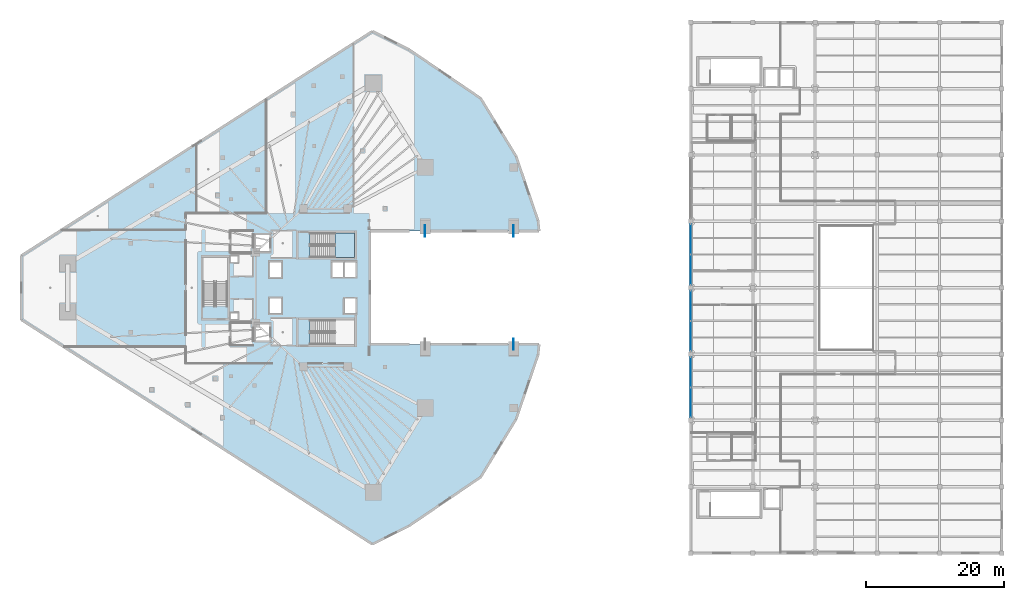
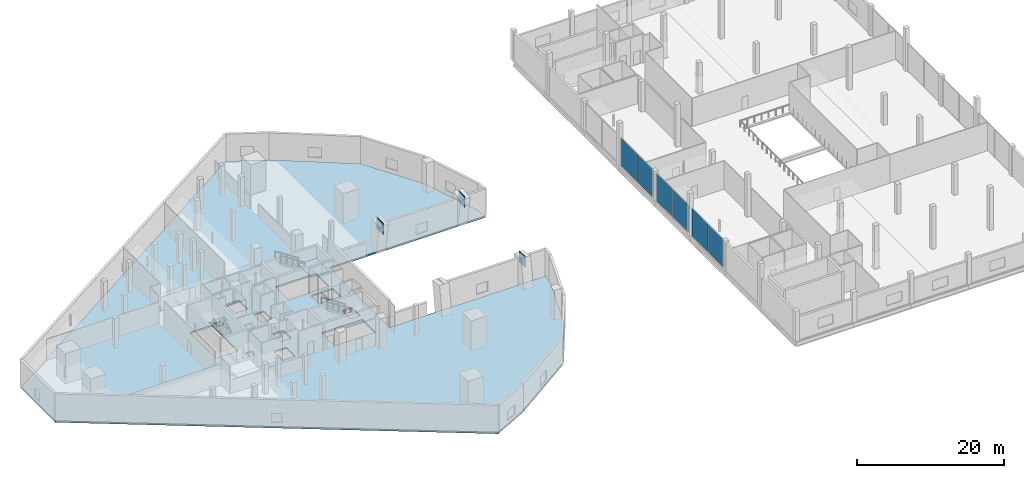
# One storey, part 26 of 43: 9 plates, 2 slabs, 4 elements without a shape of their own.
"""IFC4 building model written with IfcOpenShell, lengths in metres."""

from ifc_helpers import new_model, si_unit, direction, frame, origin, origin_2d, place, context, subcontext, project, spatial, polyline, rectangle, outline, extrude, material, layer, layer_set, type_object, element, aggregate, save


model = new_model("IFC4")

# Units and contexts
model_context = context("Model", 3, precision=1e-05, world=origin(), true_north=direction((0.0, 1.0)))
body_context = subcontext(model_context, "Body", "Model", "MODEL_VIEW")
ifc_project = project(units=[si_unit("LENGTHUNIT", "METRE"), si_unit("AREAUNIT", "SQUARE_METRE"), si_unit("VOLUMEUNIT", "CUBIC_METRE"), si_unit("PLANEANGLEUNIT", "RADIAN"), si_unit("MASSUNIT", "GRAM", prefix="KILO")], contexts=[model_context])

# Site, building, storey
site_placement = place(None, origin())
site = spatial("IfcSite", under=ifc_project, at=site_placement, CompositionType="ELEMENT")
building_placement = place(site_placement, origin())
building = spatial("IfcBuilding", under=site, at=building_placement, Name="Qorvath Tower", CompositionType="ELEMENT")
storey_placement = place(building_placement, frame((0.0, 0.0, 22.0)))
storey = spatial("IfcBuildingStorey", under=building, at=storey_placement, Name="L04", CompositionType="ELEMENT", Elevation=22.0)

# Curtain wall, plates
ifc_material_1 = material(Name="Anodised aluminium and triple low-E glass", Category="aluminium")
ifc_layer_1 = layer(ifc_material_1, 0.179931640625)
ifc_layer_set_1 = layer_set([ifc_layer_1], Name="CW-SYS-6")
curtain_wall_type = type_object("IfcCurtainWallType", Name="CW-SYS-6", PredefinedType="NOTDEFINED", material=ifc_layer_set_1)
curtain_wall_1_placement = place(storey_placement, origin())
curtain_wall_1 = element("IfcCurtainWall", 1, at=curtain_wall_1_placement, inside=storey, type_object=curtain_wall_type, Name="Curtain Wall CW-6 CW-LIB-W-L04-3", PredefinedType="NOTDEFINED")
ifc_material_2 = material(Name="Low-E triple insulated glass", Category="glass")
ifc_layer_2 = layer(ifc_material_2, 0.031982421875)
ifc_layer_set_2 = layer_set([ifc_layer_2], Name="CWP-GLZ-32")
plate_type_1 = type_object("IfcPlateType", Name="CWP-GLZ-32", PredefinedType="CURTAIN_PANEL", material=ifc_layer_set_2)
plate_1_placement = place(storey_placement, frame((32.39990234375, -16.594970703125, 0.06494140625), z_axis=(0.0, 0.0, 1.0), x_axis=(0.0, 1.0, 0.0)))
plate_1 = element("IfcPlate", 2, at=plate_1_placement, type_object=plate_type_1, Name="CW-6 panel 1.1", PredefinedType="CURTAIN_PANEL", context=body_context, shape_type="SweptSolid", body=[
    extrude(rectangle(XDim=4.31005859375, YDim=0.031982421875, at=origin_2d()), origin(), (0.0, 0.0, 1.0), 4.570068359375),
])
plate_2_placement = place(storey_placement, frame((32.39990234375, -12.205078125, 0.06494140625), z_axis=(0.0, 0.0, 1.0), x_axis=(0.0, 1.0, 0.0)))
plate_2 = element("IfcPlate", 3, at=plate_2_placement, type_object=plate_type_1, Name="CW-6 panel 2.1", PredefinedType="CURTAIN_PANEL", context=body_context, shape_type="SweptSolid", body=[
    extrude(rectangle(XDim=4.31005859375, YDim=0.031982421875, at=origin_2d()), origin(), (0.0, 0.0, 1.0), 4.570068359375),
])
aggregate(curtain_wall_1, [plate_1, plate_2])

curtain_wall_2_placement = place(storey_placement, origin())
curtain_wall_2 = element("IfcCurtainWall", 4, at=curtain_wall_2_placement, inside=storey, type_object=curtain_wall_type, Name="Curtain Wall CW-6 CW-LIB-W-L04-4", PredefinedType="NOTDEFINED")
plate_3_placement = place(storey_placement, frame((32.39990234375, -6.9951171875, 0.06494140625), z_axis=(0.0, 0.0, 1.0), x_axis=(0.0, 1.0, 0.0)))
plate_3 = element("IfcPlate", 5, at=plate_3_placement, type_object=plate_type_1, Name="CW-6 panel 1.1", PredefinedType="CURTAIN_PANEL", context=body_context, shape_type="SweptSolid", body=[
    extrude(rectangle(XDim=4.31005859375, YDim=0.031982421875, at=origin_2d()), origin(), (0.0, 0.0, 1.0), 4.570068359375),
])
plate_4_placement = place(storey_placement, frame((32.39990234375, -2.60498046875, 0.06494140625), z_axis=(0.0, 0.0, 1.0), x_axis=(0.0, 1.0, 0.0)))
plate_4 = element("IfcPlate", 6, at=plate_4_placement, type_object=plate_type_1, Name="CW-6 panel 2.1", PredefinedType="CURTAIN_PANEL", context=body_context, shape_type="SweptSolid", body=[
    extrude(rectangle(XDim=4.31005859375, YDim=0.031982421875, at=origin_2d()), origin(), (0.0, 0.0, 1.0), 4.570068359375),
])
aggregate(curtain_wall_2, [plate_3, plate_4])

curtain_wall_3_placement = place(storey_placement, origin())
curtain_wall_3 = element("IfcCurtainWall", 7, at=curtain_wall_3_placement, inside=storey, type_object=curtain_wall_type, Name="Curtain Wall CW-6 CW-LIB-W-L04-5", PredefinedType="NOTDEFINED")
plate_5_placement = place(storey_placement, frame((32.39990234375, 2.60498046875, 0.06494140625), z_axis=(0.0, 0.0, 1.0), x_axis=(0.0, 1.0, 0.0)))
plate_5 = element("IfcPlate", 8, at=plate_5_placement, type_object=plate_type_1, Name="CW-6 panel 1.1", PredefinedType="CURTAIN_PANEL", context=body_context, shape_type="SweptSolid", body=[
    extrude(rectangle(XDim=4.31005859375, YDim=0.031982421875, at=origin_2d()), origin(), (0.0, 0.0, 1.0), 4.570068359375),
])
plate_6_placement = place(storey_placement, frame((32.39990234375, 6.9951171875, 0.06494140625), z_axis=(0.0, 0.0, 1.0), x_axis=(0.0, 1.0, 0.0)))
plate_6 = element("IfcPlate", 9, at=plate_6_placement, type_object=plate_type_1, Name="CW-6 panel 2.1", PredefinedType="CURTAIN_PANEL", context=body_context, shape_type="SweptSolid", body=[
    extrude(rectangle(XDim=4.31005859375, YDim=0.031982421875, at=origin_2d()), origin(), (0.0, 0.0, 1.0), 4.570068359375),
])
aggregate(curtain_wall_3, [plate_5, plate_6])

# Plates
ifc_material_3 = material(Name="Steel ASTM A572 Grade 50", Category="steel")
ifc_layer_3 = layer(ifc_material_3, 0.080078125)
ifc_layer_set_3 = layer_set([ifc_layer_3], Name="PL-AN1")
plate_type_2 = type_object("IfcPlateType", Name="PL-AN1", PredefinedType="USERDEFINED", material=ifc_layer_set_3)
for number, where, z_axis, x_axis, name in (
    (10, (6.800048828125, 8.199951171875, 3.2001953125), (0.0, 0.0, 1.0), (0.0, 1.0, 0.0), "Arch Haunch Node Gusset Plate ARCH-FRONT-N-L04"),
    (11, (6.800048828125, -8.199951171875, 3.2001953125), (0.0, 0.0, 1.0), (0.0, 1.0, 0.0), "Arch Haunch Node Gusset Plate ARCH-FRONT-S-L04"),
    (12, (-6.0, 8.199951171875, 3.2001953125), (0.0, 0.0, 1.0), (0.0, 1.0, 0.0), "Arch Haunch Node Gusset Plate ARCH-INNER-N-L04"),
):
    element("IfcPlate", number, at=place(storey_placement, frame(where, z_axis=z_axis, x_axis=x_axis)), inside=storey, type_object=plate_type_2, Name=name, ObjectType="GUSSET", PredefinedType="USERDEFINED", context=body_context, shape_type="SweptSolid", body=[
        extrude(rectangle(XDim=1.60009765625, YDim=0.080078125, at=origin_2d()), origin(), (0.0, 0.0, 1.0), 1.800048828125),
    ])

# Stair, slab
ifc_material_4 = material(Name="Concrete C50/60", Category="concrete")
stair_type = type_object("IfcStairType", Name="ST-H500", PredefinedType="HALF_TURN_STAIR", material=ifc_material_4)
stair_placement = place(storey_placement, origin())
stair = element("IfcStair", 13, at=stair_placement, inside=storey, type_object=stair_type, Name="L04 Tower Exit Stair 1", PredefinedType="HALF_TURN_STAIR")
ifc_material_5 = material(Name="Concrete C50/60", Category="concrete")
ifc_layer_4 = layer(ifc_material_5, 0.199951171875)
ifc_layer_set_4 = layer_set([ifc_layer_4], Name="SL-LND-200")
slab_type_1 = type_object("IfcSlabType", Name="SL-LND-200", PredefinedType="LANDING", material=ifc_layer_set_4)
slab_1_placement = place(storey_placement, frame((0.0, 0.0, 2.300048828125)))
slab_1 = element("IfcSlab", 14, at=slab_1_placement, type_object=slab_type_1, Name="TS1 landing 1", PredefinedType="LANDING", context=body_context, shape_type="SweptSolid", body=[
    extrude(outline(polyline([(-19.030029296875, 4.39990234375), (-16.199951171875, 4.39990234375), (-16.199951171875, 7.909912109375), (-19.030029296875, 7.909912109375), (-19.030029296875, 4.39990234375)])), origin(), (0.0, 0.0, 1.0), 0.199951171875),
])
aggregate(stair, [slab_1])

# Slab
ifc_material_6 = material(Name="Concrete C45/55", Category="concrete")
ifc_layer_5 = layer(ifc_material_6, 0.260009765625)
ifc_layer_set_5 = layer_set([ifc_layer_5], Name="SL-POD-260")
slab_type_2 = type_object("IfcSlabType", Name="SL-POD-260", PredefinedType="FLOOR", material=ifc_layer_set_5)
slab_2_placement = place(storey_placement, frame((0.0, 0.0, -0.260009765625)))
element("IfcSlab", 15, at=slab_2_placement, inside=storey, type_object=slab_type_2, Name="Tower L04 Floor Slab", PredefinedType="FLOOR", context=body_context, shape_type="SweptSolid", body=[
    extrude(outline(polyline([(10.3125, -9.748779296875), (10.483154296875, -8.199951171875), (-14.0, -8.199951171875), (-14.0, 8.199951171875), (10.483154296875, 8.199951171875), (10.3125, 9.748779296875), (7.139404296875, 19.029052734375), (2.0205078125, 27.39501953125), (-8.3359375, 34.44482421875), (-13.63525390625, 37.094482421875), (-64.419189453125, 4.63671875), (-64.419189453125, -4.63671875), (-13.63525390625, -37.094482421875), (-8.3359375, -34.44482421875), (2.0205078125, -27.39501953125), (7.139404296875, -19.029052734375), (10.3125, -9.748779296875)]), holes=[polyline([(-17.64990234375, -3.699951171875), (-17.64990234375, -1.550048828125), (-16.050048828125, -1.550048828125), (-16.050048828125, -3.699951171875), (-17.64990234375, -3.699951171875)]), polyline([(-17.64990234375, 1.550048828125), (-17.64990234375, 3.699951171875), (-16.050048828125, 3.699951171875), (-16.050048828125, 1.550048828125), (-17.64990234375, 1.550048828125)]), polyline([(-16.2451171875, -8.199951171875), (-22.625, -8.199951171875), (-22.625, -4.68994140625), (-16.2451171875, -4.68994140625), (-16.2451171875, -8.199951171875)]), polyline([(-22.625, 4.39990234375), (-22.625, 7.909912109375), (-16.2451171875, 7.909912109375), (-16.2451171875, 4.39990234375), (-22.625, 4.39990234375)]), polyline([(-17.85009765625, 1.550048828125), (-19.449951171875, 1.550048828125), (-19.449951171875, 3.699951171875), (-17.85009765625, 3.699951171875), (-17.85009765625, 1.550048828125)]), polyline([(-28.449951171875, -3.699951171875), (-28.449951171875, -1.550048828125), (-26.85009765625, -1.550048828125), (-26.85009765625, -3.699951171875), (-28.449951171875, -3.699951171875)]), polyline([(-26.85009765625, 1.550048828125), (-28.449951171875, 1.550048828125), (-28.449951171875, 3.699951171875), (-26.85009765625, 3.699951171875), (-26.85009765625, 1.550048828125)]), polyline([(-28.5, -7.64990234375), (-30.5, -7.64990234375), (-30.5, -5.25), (-28.5, -5.25), (-28.5, -7.64990234375)]), polyline([(-30.5, 5.25), (-30.5, 7.64990234375), (-28.5, 7.64990234375), (-28.5, 5.25), (-30.5, 5.25)]), polyline([(-34.14990234375, -4.6201171875), (-34.14990234375, -3.64990234375), (-33.10009765625, -3.64990234375), (-33.10009765625, -4.6201171875), (-34.14990234375, -4.6201171875)]), polyline([(-34.14990234375, 3.64990234375), (-34.14990234375, 4.6201171875), (-33.10009765625, 4.6201171875), (-33.10009765625, 3.64990234375), (-34.14990234375, 3.64990234375)]), polyline([(-34.60009765625, -2.675048828125), (-38.110107421875, -2.675048828125), (-38.110107421875, 4.35498046875), (-34.60009765625, 4.35498046875), (-34.60009765625, -2.675048828125)])]), origin(), (0.0, 0.0, 1.0), 0.260009765625),
])

save(model, "model.ifc")
